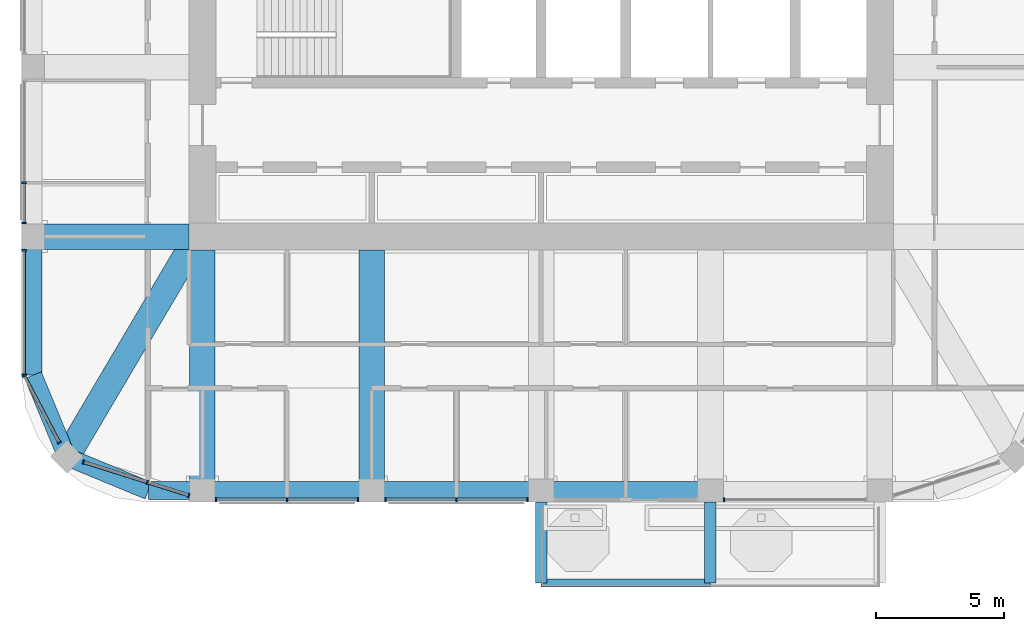
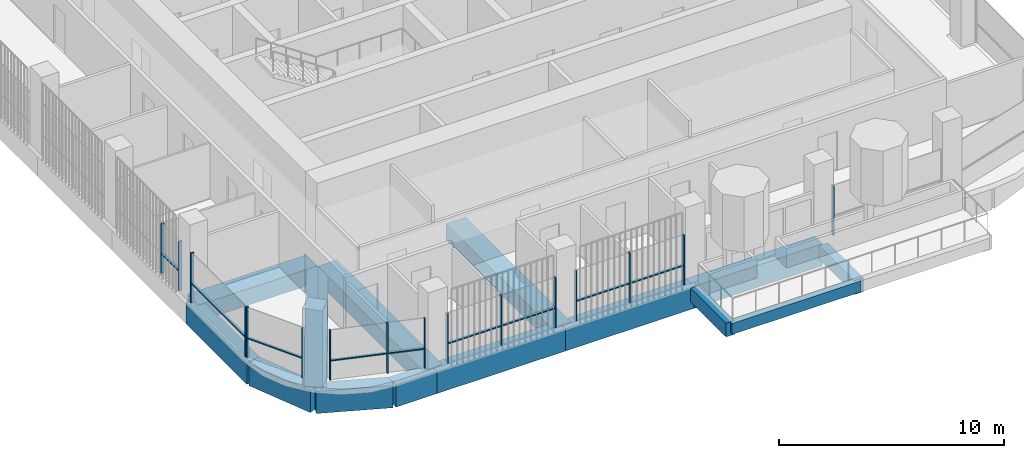
# One storey, part 2 of 21: 25 members, 14 beams, 7 elements without a shape of their own.
"""IFC4 building model written with IfcOpenShell, lengths in metres."""

from ifc_helpers import new_model, si_unit, direction, frame, origin, origin_2d, place, context, subcontext, project, spatial, rectangle, extrude, material, material_profile, profile_set, type_object, element, aggregate, save


model = new_model("IFC4")

# Units and contexts
model_context = context("Model", 3, precision=1e-05, world=origin(), true_north=direction((0.0, 1.0)))
body_context = subcontext(model_context, "Body", "Model", "MODEL_VIEW")
ifc_project = project(units=[si_unit("LENGTHUNIT", "METRE"), si_unit("AREAUNIT", "SQUARE_METRE"), si_unit("VOLUMEUNIT", "CUBIC_METRE"), si_unit("PLANEANGLEUNIT", "RADIAN"), si_unit("MASSUNIT", "GRAM", prefix="KILO")], contexts=[model_context])

# Site, building, storey
site_placement = place(None, origin())
site = spatial("IfcSite", under=ifc_project, at=site_placement, CompositionType="ELEMENT")
building_placement = place(site_placement, origin())
building = spatial("IfcBuilding", under=site, at=building_placement, Name="Cobogo Forest Laboratory Tower", CompositionType="ELEMENT")
storey_placement = place(building_placement, frame((0.0, 0.0, 258.60009765625)))
storey = spatial("IfcBuildingStorey", under=building, at=storey_placement, Name="L59", CompositionType="ELEMENT", Elevation=258.60009765625)

# Beams
ifc_material_1 = material(Name="Concrete HA-40 (C40/50)", Category="concrete")
ifc_material_profile_1 = material_profile(ifc_material_1, rectangle(XDim=0.449951171875, YDim=0.75, at=origin_2d()), Name="RC 450x750")
ifc_profile_set_1 = profile_set([ifc_material_profile_1], Name="Concrete HA-40 (C40/50)")
beam_type_1 = type_object("IfcBeamType", Name="Balcony cantilever beam 450x750", PredefinedType="BEAM", material=ifc_profile_set_1)
for number, where, z_axis, x_axis, name in (
    (1, (26.39990234375, 2.85009765625, -0.625), (0.0, -1.0, 0.0), (1.0, 0.0, 0.0), "CB1 BAL-S1-C1 L59"),
    (2, (33.0, 2.85009765625, -0.625), (0.0, -1.0, 0.0), (1.0, 0.0, 0.0), "CB1 BAL-S1-C2 L59"),
):
    element("IfcBeam", number, at=place(storey_placement, frame(where, z_axis=z_axis, x_axis=x_axis)), inside=storey, type_object=beam_type_1, Name=name, PredefinedType="BEAM", context=body_context, shape_type="SweptSolid", body=[
        extrude(rectangle(XDim=0.449951171875, YDim=0.75, at=origin_2d()), origin(), (0.0, 0.0, 1.0), 3.150146484375),
    ])
ifc_material_profile_2 = material_profile(ifc_material_1, rectangle(XDim=0.300048828125, YDim=0.60009765625, at=origin_2d()), Name="RC 300x600")
ifc_profile_set_2 = profile_set([ifc_material_profile_2], Name="Concrete HA-40 (C40/50)")
beam_type_2 = type_object("IfcBeamType", Name="Balcony edge beam 300x600", PredefinedType="BEAM", material=ifc_profile_set_2)
beam_1_placement = place(storey_placement, frame((26.39990234375, -0.300048828125, -0.550048828125), z_axis=(1.0, 0.0, 0.0), x_axis=(0.0, 1.0, 0.0)))
element("IfcBeam", 3, at=beam_1_placement, inside=storey, type_object=beam_type_2, Name="BB1 BAL-S1-T1 L59", PredefinedType="BEAM", context=body_context, shape_type="SweptSolid", body=[
    extrude(rectangle(XDim=0.300048828125, YDim=0.60009765625, at=origin_2d()), origin(), (0.0, 0.0, 1.0), 6.60009765625),
])

# Curtain wall, members
ifc_material_2 = material(Name="Aluminium curtain wall", Category="aluminium")
curtain_wall_type = type_object("IfcCurtainWallType", Name="CW-2 unitised curtain wall, solar control glazing, laboratory floors zones C and D", PredefinedType="USERDEFINED", material=ifc_material_2)
curtain_wall_1_placement = place(storey_placement, origin())
curtain_wall_1 = element("IfcCurtainWall", 4, at=curtain_wall_1_placement, inside=storey, type_object=curtain_wall_type, Name="Curtain wall 01 L59", ObjectType="UNITISED CURTAIN WALL", PredefinedType="USERDEFINED")
ifc_material_3 = material(Name="Aluminium mullion", Category="aluminium")
ifc_material_profile_3 = material_profile(ifc_material_3, rectangle(XDim=0.06005859375, YDim=0.159912109375, at=origin_2d()), Name="AL 60x160")
ifc_profile_set_3 = profile_set([ifc_material_profile_3], Name="Aluminium mullion")
member_type_1 = type_object("IfcMemberType", Name="MU-1 aluminium mullion 60x160", PredefinedType="MULLION", material=ifc_profile_set_3)
member_1_placement = place(storey_placement, frame((13.72998046875, 2.949951171875, 0.0), z_axis=(0.0, 0.0, 1.0), x_axis=(1.0, 0.0, 0.0)))
member_1 = element("IfcMember", 5, at=member_1_placement, type_object=member_type_1, Name="CW-2 mullion 1", PredefinedType="MULLION", context=body_context, shape_type="SweptSolid", body=[
    extrude(rectangle(XDim=0.06005859375, YDim=0.159912109375, at=origin_2d()), origin(), (0.0, 0.0, 1.0), 2.699951171875),
])
member_2_placement = place(storey_placement, frame((16.5, 2.949951171875, 0.0), z_axis=(0.0, 0.0, 1.0), x_axis=(1.0, 0.0, 0.0)))
member_2 = element("IfcMember", 6, at=member_2_placement, type_object=member_type_1, Name="CW-2 mullion 2", PredefinedType="MULLION", context=body_context, shape_type="SweptSolid", body=[
    extrude(rectangle(XDim=0.06005859375, YDim=0.159912109375, at=origin_2d()), origin(), (0.0, 0.0, 1.0), 2.699951171875),
])
member_3_placement = place(storey_placement, frame((19.27001953125, 2.949951171875, 0.0), z_axis=(0.0, 0.0, 1.0), x_axis=(1.0, 0.0, 0.0)))
member_3 = element("IfcMember", 7, at=member_3_placement, type_object=member_type_1, Name="CW-2 mullion 3", PredefinedType="MULLION", context=body_context, shape_type="SweptSolid", body=[
    extrude(rectangle(XDim=0.06005859375, YDim=0.159912109375, at=origin_2d()), origin(), (0.0, 0.0, 1.0), 2.699951171875),
])

curtain_wall_2_placement = place(storey_placement, origin())
curtain_wall_2 = element("IfcCurtainWall", 8, at=curtain_wall_2_placement, inside=storey, type_object=curtain_wall_type, Name="Curtain wall 02 L59", ObjectType="UNITISED CURTAIN WALL", PredefinedType="USERDEFINED")
member_4_placement = place(storey_placement, frame((20.330078125, 2.949951171875, 0.0), z_axis=(0.0, 0.0, 1.0), x_axis=(1.0, 0.0, 0.0)))
member_4 = element("IfcMember", 9, at=member_4_placement, type_object=member_type_1, Name="CW-2 mullion 1", PredefinedType="MULLION", context=body_context, shape_type="SweptSolid", body=[
    extrude(rectangle(XDim=0.06005859375, YDim=0.159912109375, at=origin_2d()), origin(), (0.0, 0.0, 1.0), 2.699951171875),
])
member_5_placement = place(storey_placement, frame((23.10009765625, 2.949951171875, 0.0), z_axis=(0.0, 0.0, 1.0), x_axis=(1.0, 0.0, 0.0)))
member_5 = element("IfcMember", 10, at=member_5_placement, type_object=member_type_1, Name="CW-2 mullion 2", PredefinedType="MULLION", context=body_context, shape_type="SweptSolid", body=[
    extrude(rectangle(XDim=0.06005859375, YDim=0.159912109375, at=origin_2d()), origin(), (0.0, 0.0, 1.0), 2.699951171875),
])
member_6_placement = place(storey_placement, frame((25.8701171875, 2.949951171875, 0.0), z_axis=(0.0, 0.0, 1.0), x_axis=(1.0, 0.0, 0.0)))
member_6 = element("IfcMember", 11, at=member_6_placement, type_object=member_type_1, Name="CW-2 mullion 3", PredefinedType="MULLION", context=body_context, shape_type="SweptSolid", body=[
    extrude(rectangle(XDim=0.06005859375, YDim=0.159912109375, at=origin_2d()), origin(), (0.0, 0.0, 1.0), 2.699951171875),
])

# Curtain wall, member
curtain_wall_3_placement = place(storey_placement, origin())
curtain_wall_3 = element("IfcCurtainWall", 12, at=curtain_wall_3_placement, inside=storey, type_object=curtain_wall_type, Name="Curtain wall 04 L59", ObjectType="UNITISED CURTAIN WALL", PredefinedType="USERDEFINED")
member_7_placement = place(storey_placement, frame((33.530029296875, 2.949951171875, 0.0), z_axis=(0.0, 0.0, 1.0), x_axis=(1.0, 0.0, 0.0)))
member_7 = element("IfcMember", 13, at=member_7_placement, type_object=member_type_1, Name="CW-2 mullion 1", PredefinedType="MULLION", context=body_context, shape_type="SweptSolid", body=[
    extrude(rectangle(XDim=0.06005859375, YDim=0.159912109375, at=origin_2d()), origin(), (0.0, 0.0, 1.0), 2.699951171875),
])
aggregate(curtain_wall_3, [member_7])

# Curtain wall, members
curtain_wall_4_placement = place(storey_placement, origin())
curtain_wall_4 = element("IfcCurtainWall", 14, at=curtain_wall_4_placement, inside=storey, type_object=curtain_wall_type, Name="Curtain wall 23 L59", ObjectType="UNITISED CURTAIN WALL", PredefinedType="USERDEFINED")
member_8_placement = place(storey_placement, frame((6.25, 15.300048828125, 0.0), z_axis=(0.0, 0.0, 1.0), x_axis=(0.0, -1.0, 0.0)))
member_8 = element("IfcMember", 15, at=member_8_placement, type_object=member_type_1, Name="CW-2 mullion 2", PredefinedType="MULLION", context=body_context, shape_type="SweptSolid", body=[
    extrude(rectangle(XDim=0.06005859375, YDim=0.159912109375, at=origin_2d()), origin(), (0.0, 0.0, 1.0), 2.699951171875),
])
member_9_placement = place(storey_placement, frame((6.25, 13.72998046875, 0.0), z_axis=(0.0, 0.0, 1.0), x_axis=(0.0, -1.0, 0.0)))
member_9 = element("IfcMember", 16, at=member_9_placement, type_object=member_type_1, Name="CW-2 mullion 3", PredefinedType="MULLION", context=body_context, shape_type="SweptSolid", body=[
    extrude(rectangle(XDim=0.06005859375, YDim=0.159912109375, at=origin_2d()), origin(), (0.0, 0.0, 1.0), 2.699951171875),
])

curtain_wall_5_placement = place(storey_placement, origin())
curtain_wall_5 = element("IfcCurtainWall", 17, at=curtain_wall_5_placement, inside=storey, type_object=curtain_wall_type, Name="Curtain wall 24 L59", ObjectType="UNITISED CURTAIN WALL", PredefinedType="USERDEFINED")
member_10_placement = place(storey_placement, frame((6.25, 12.669921875, 0.0), z_axis=(0.0, 0.0, 1.0), x_axis=(0.0, -1.0, 0.0)))
member_10 = element("IfcMember", 18, at=member_10_placement, type_object=member_type_1, Name="CW-2 mullion 1", PredefinedType="MULLION", context=body_context, shape_type="SweptSolid", body=[
    extrude(rectangle(XDim=0.06005859375, YDim=0.159912109375, at=origin_2d()), origin(), (0.0, 0.0, 1.0), 2.699951171875),
])
member_11_placement = place(storey_placement, frame((6.25, 7.830078125, 0.0), z_axis=(0.0, 0.0, 1.0), x_axis=(0.0, -1.0, 0.0)))
member_11 = element("IfcMember", 19, at=member_11_placement, type_object=member_type_1, Name="CW-2 mullion 2", PredefinedType="MULLION", context=body_context, shape_type="SweptSolid", body=[
    extrude(rectangle(XDim=0.06005859375, YDim=0.159912109375, at=origin_2d()), origin(), (0.0, 0.0, 1.0), 2.699951171875),
])

curtain_wall_6_placement = place(storey_placement, origin())
curtain_wall_6 = element("IfcCurtainWall", 20, at=curtain_wall_6_placement, inside=storey, type_object=curtain_wall_type, Name="Curtain wall 25 L59", ObjectType="UNITISED CURTAIN WALL", PredefinedType="USERDEFINED")
member_12_placement = place(storey_placement, frame((6.263916015625, 7.7734375, 0.0), z_axis=(0.0, 0.0, 1.0), x_axis=(0.464283778337, -0.885686498245, 0.0)))
member_12 = element("IfcMember", 21, at=member_12_placement, type_object=member_type_1, Name="CW-2 mullion 1", PredefinedType="MULLION", context=body_context, shape_type="SweptSolid", body=[
    extrude(rectangle(XDim=0.06005859375, YDim=0.159912109375, at=origin_2d()), origin(), (0.0, 0.0, 1.0), 2.699951171875),
])
member_13_placement = place(storey_placement, frame((7.6220703125, 5.1826171875, 0.0), z_axis=(0.0, 0.0, 1.0), x_axis=(0.464283778337, -0.885686498245, 0.0)))
member_13 = element("IfcMember", 22, at=member_13_placement, type_object=member_type_1, Name="CW-2 mullion 2", PredefinedType="MULLION", context=body_context, shape_type="SweptSolid", body=[
    extrude(rectangle(XDim=0.06005859375, YDim=0.159912109375, at=origin_2d()), origin(), (0.0, 0.0, 1.0), 2.699951171875),
])

curtain_wall_7_placement = place(storey_placement, origin())
curtain_wall_7 = element("IfcCurtainWall", 23, at=curtain_wall_7_placement, inside=storey, type_object=curtain_wall_type, Name="Curtain wall 26 L59", ObjectType="UNITISED CURTAIN WALL", PredefinedType="USERDEFINED")
member_14_placement = place(storey_placement, frame((8.570068359375, 4.412109375, 0.0), z_axis=(0.0, 0.0, 1.0), x_axis=(0.953581379409, -0.301135439371, 0.0)))
member_14 = element("IfcMember", 24, at=member_14_placement, type_object=member_type_1, Name="CW-2 mullion 1", PredefinedType="MULLION", context=body_context, shape_type="SweptSolid", body=[
    extrude(rectangle(XDim=0.06005859375, YDim=0.159912109375, at=origin_2d()), origin(), (0.0, 0.0, 1.0), 2.699951171875),
])
member_15_placement = place(storey_placement, frame((11.051025390625, 3.628662109375, 0.0), z_axis=(0.0, 0.0, 1.0), x_axis=(0.953581379409, -0.301135439371, 0.0)))
member_15 = element("IfcMember", 25, at=member_15_placement, type_object=member_type_1, Name="CW-2 mullion 2", PredefinedType="MULLION", context=body_context, shape_type="SweptSolid", body=[
    extrude(rectangle(XDim=0.06005859375, YDim=0.159912109375, at=origin_2d()), origin(), (0.0, 0.0, 1.0), 2.699951171875),
])
member_16_placement = place(storey_placement, frame((12.67138671875, 3.116943359375, 0.0), z_axis=(0.0, 0.0, 1.0), x_axis=(0.953581379409, -0.301135439371, 0.0)))
member_16 = element("IfcMember", 26, at=member_16_placement, type_object=member_type_1, Name="CW-2 mullion 3", PredefinedType="MULLION", context=body_context, shape_type="SweptSolid", body=[
    extrude(rectangle(XDim=0.06005859375, YDim=0.159912109375, at=origin_2d()), origin(), (0.0, 0.0, 1.0), 2.699951171875),
])

# Beams
ifc_material_profile_4 = material_profile(ifc_material_1, rectangle(XDim=1.0, YDim=0.89990234375, at=origin_2d()), Name="RC 1000x900")
ifc_profile_set_4 = profile_set([ifc_material_profile_4], Name="Concrete HA-40 (C40/50)")
beam_type_3 = type_object("IfcBeamType", Name="Office floor wide beam 1000x900", PredefinedType="BEAM", material=ifc_profile_set_4)
for number, where, z_axis, x_axis, name in (
    (27, (13.199951171875, 12.675048828125, -0.75), (0.0, -1.0, 0.0), (1.0, 0.0, 0.0), "RB2 R-3-S L59"),
    (28, (19.800048828125, 12.675048828125, -0.75), (0.0, -1.0, 0.0), (1.0, 0.0, 0.0), "RB2 R-4-S L59"),
):
    element("IfcBeam", number, at=place(storey_placement, frame(where, z_axis=z_axis, x_axis=x_axis)), inside=storey, type_object=beam_type_3, Name=name, PredefinedType="BEAM", context=body_context, shape_type="SweptSolid", body=[
        extrude(rectangle(XDim=1.0, YDim=0.89990234375, at=origin_2d()), origin(), (0.0, 0.0, 1.0), 9.375),
    ])
beam_2_placement = place(storey_placement, frame((12.675048828125, 13.199951171875, -0.75), z_axis=(-1.0, 0.0, 0.0), x_axis=(0.0, -1.0, 0.0)))
element("IfcBeam", 29, at=beam_2_placement, inside=storey, type_object=beam_type_3, Name="RB2 R-C-W L59", PredefinedType="BEAM", context=body_context, shape_type="SweptSolid", body=[
    extrude(rectangle(XDim=1.0, YDim=0.89990234375, at=origin_2d()), origin(), (0.0, 0.0, 1.0), 6.074951171875),
])
beam_3_placement = place(storey_placement, frame((7.91796875, 4.617919921875, -0.75), z_axis=(0.508416325908, 0.861111397875, 0.0), x_axis=(-0.861111397875, 0.508416325908, 0.0)))
element("IfcBeam", 30, at=beam_3_placement, inside=storey, type_object=beam_type_3, Name="RB2 G-SW-D1 L59", PredefinedType="BEAM", context=body_context, shape_type="SweptSolid", body=[
    extrude(rectangle(XDim=1.0, YDim=0.89990234375, at=origin_2d()), origin(), (0.0, 0.0, 1.0), 9.356689453125),
])
ifc_material_profile_5 = material_profile(ifc_material_1, rectangle(XDim=0.699951171875, YDim=1.199951171875, at=origin_2d()), Name="RC 700x1200")
ifc_profile_set_5 = profile_set([ifc_material_profile_5], Name="Concrete HA-40 (C40/50)")
beam_type_4 = type_object("IfcBeamType", Name="Perimeter edge beam 700x1200", PredefinedType="BEAM", material=ifc_profile_set_5)
beam_4_placement = place(storey_placement, frame((13.199951171875, 3.300048828125, -0.900146484375), z_axis=(1.0, 0.0, 0.0), x_axis=(0.0, 1.0, 0.0)))
element("IfcBeam", 31, at=beam_4_placement, inside=storey, type_object=beam_type_4, Name="EB1 E-S1 L59", PredefinedType="BEAM", context=body_context, shape_type="SweptSolid", body=[
    extrude(rectangle(XDim=0.699951171875, YDim=1.199951171875, at=origin_2d()), origin(), (0.0, 0.0, 1.0), 6.60009765625),
])
beam_5_placement = place(storey_placement, frame((19.800048828125, 3.300048828125, -0.900146484375), z_axis=(1.0, 0.0, 0.0), x_axis=(0.0, 1.0, 0.0)))
element("IfcBeam", 32, at=beam_5_placement, inside=storey, type_object=beam_type_4, Name="EB1 E-S2 L59", PredefinedType="BEAM", context=body_context, shape_type="SweptSolid", body=[
    extrude(rectangle(XDim=0.699951171875, YDim=1.199951171875, at=origin_2d()), origin(), (0.0, 0.0, 1.0), 6.599853515625),
])
beam_6_placement = place(storey_placement, frame((26.39990234375, 3.300048828125, -0.900146484375), z_axis=(1.0, 0.0, 0.0), x_axis=(0.0, 1.0, 0.0)))
element("IfcBeam", 33, at=beam_6_placement, inside=storey, type_object=beam_type_4, Name="EB1 E-S3 L59", PredefinedType="BEAM", context=body_context, shape_type="SweptSolid", body=[
    extrude(rectangle(XDim=0.699951171875, YDim=1.199951171875, at=origin_2d()), origin(), (0.0, 0.0, 1.0), 6.60009765625),
])
beam_7_placement = place(storey_placement, frame((13.199951171875, 3.300048828125, -0.900146484375), z_axis=(-1.0, 0.0, 0.0), x_axis=(0.0, -1.0, 0.0)))
element("IfcBeam", 34, at=beam_7_placement, inside=storey, type_object=beam_type_4, Name="EB1 E-SWS1 L59", PredefinedType="BEAM", context=body_context, shape_type="SweptSolid", body=[
    extrude(rectangle(XDim=0.699951171875, YDim=1.199951171875, at=origin_2d()), origin(), (0.0, 0.0, 1.0), 2.099853515625),
])
beam_8_placement = place(storey_placement, frame((11.10009765625, 3.300048828125, -0.900146484375), z_axis=(-0.923901072997, 0.382631424892, 0.0), x_axis=(-0.382631424892, -0.923901072997, 0.0)))
element("IfcBeam", 35, at=beam_8_placement, inside=storey, type_object=beam_type_4, Name="EB1 E-SWS2 L59", PredefinedType="BEAM", context=body_context, shape_type="SweptSolid", body=[
    extrude(rectangle(XDim=0.699951171875, YDim=1.199951171875, at=origin_2d()), origin(), (0.0, 0.0, 1.0), 3.4443359375),
])
beam_9_placement = place(storey_placement, frame((6.60009765625, 13.199951171875, -0.900146484375), z_axis=(0.0, -1.0, 0.0), x_axis=(1.0, 0.0, 0.0)))
element("IfcBeam", 36, at=beam_9_placement, inside=storey, type_object=beam_type_4, Name="EB1 E-SWW1 L59", PredefinedType="BEAM", context=body_context, shape_type="SweptSolid", body=[
    extrude(rectangle(XDim=0.699951171875, YDim=1.199951171875, at=origin_2d()), origin(), (0.0, 0.0, 1.0), 5.39990234375),
])
beam_10_placement = place(storey_placement, frame((6.60009765625, 7.800048828125, -0.900146484375), z_axis=(0.382631424892, -0.923901072997, 0.0), x_axis=(0.923901072997, 0.382631424892, 0.0)))
element("IfcBeam", 37, at=beam_10_placement, inside=storey, type_object=beam_type_4, Name="EB1 E-SWW2 L59", PredefinedType="BEAM", context=body_context, shape_type="SweptSolid", body=[
    extrude(rectangle(XDim=0.699951171875, YDim=1.199951171875, at=origin_2d()), origin(), (0.0, 0.0, 1.0), 3.4443359375),
])

# Member
ifc_material_4 = material(Name="Aluminium transom", Category="aluminium")
ifc_material_profile_6 = material_profile(ifc_material_4, rectangle(XDim=0.1201171875, YDim=0.06005859375, at=origin_2d()), Name="AL 60x120")
ifc_profile_set_6 = profile_set([ifc_material_profile_6], Name="Aluminium transom")
member_type_2 = type_object("IfcMemberType", Name="TR-1 aluminium transom 60x120", PredefinedType="USERDEFINED", material=ifc_profile_set_6)
member_17_placement = place(storey_placement, frame((13.760009765625, 2.949951171875, 1.0498046875), z_axis=(1.0, 0.0, 0.0), x_axis=(0.0, 1.0, 0.0)))
member_17 = element("IfcMember", 38, at=member_17_placement, type_object=member_type_2, Name="CW-2 transom 1.1", ObjectType="TRANSOM", PredefinedType="USERDEFINED", context=body_context, shape_type="SweptSolid", body=[
    extrude(rectangle(XDim=0.1201171875, YDim=0.06005859375, at=origin_2d()), origin(), (0.0, 0.0, 1.0), 2.7099609375),
])

member_18_placement = place(storey_placement, frame((16.530029296875, 2.949951171875, 1.0498046875), z_axis=(1.0, 0.0, 0.0), x_axis=(0.0, 1.0, 0.0)))
member_18 = element("IfcMember", 39, at=member_18_placement, type_object=member_type_2, Name="CW-2 transom 2.1", ObjectType="TRANSOM", PredefinedType="USERDEFINED", context=body_context, shape_type="SweptSolid", body=[
    extrude(rectangle(XDim=0.1201171875, YDim=0.06005859375, at=origin_2d()), origin(), (0.0, 0.0, 1.0), 2.7099609375),
])

aggregate(curtain_wall_1, [member_1, member_2, member_3, member_17, member_18])

member_19_placement = place(storey_placement, frame((20.360107421875, 2.949951171875, 1.0498046875), z_axis=(1.0, 0.0, 0.0), x_axis=(0.0, 1.0, 0.0)))
member_19 = element("IfcMember", 40, at=member_19_placement, type_object=member_type_2, Name="CW-2 transom 1.1", ObjectType="TRANSOM", PredefinedType="USERDEFINED", context=body_context, shape_type="SweptSolid", body=[
    extrude(rectangle(XDim=0.1201171875, YDim=0.06005859375, at=origin_2d()), origin(), (0.0, 0.0, 1.0), 2.7099609375),
])

member_20_placement = place(storey_placement, frame((23.1298828125, 2.949951171875, 1.0498046875), z_axis=(1.0, 0.0, 0.0), x_axis=(0.0, 1.0, 0.0)))
member_20 = element("IfcMember", 41, at=member_20_placement, type_object=member_type_2, Name="CW-2 transom 2.1", ObjectType="TRANSOM", PredefinedType="USERDEFINED", context=body_context, shape_type="SweptSolid", body=[
    extrude(rectangle(XDim=0.1201171875, YDim=0.06005859375, at=origin_2d()), origin(), (0.0, 0.0, 1.0), 2.710205078125),
])

aggregate(curtain_wall_2, [member_4, member_5, member_6, member_19, member_20])

member_21_placement = place(storey_placement, frame((6.25, 15.27001953125, 1.0498046875), z_axis=(0.0, -1.0, 0.0), x_axis=(1.0, 0.0, 0.0)))
member_21 = element("IfcMember", 42, at=member_21_placement, type_object=member_type_2, Name="CW-2 transom 2.1", ObjectType="TRANSOM", PredefinedType="USERDEFINED", context=body_context, shape_type="SweptSolid", body=[
    extrude(rectangle(XDim=0.1201171875, YDim=0.06005859375, at=origin_2d()), origin(), (0.0, 0.0, 1.0), 1.510009765625),
])

aggregate(curtain_wall_4, [member_8, member_9, member_21])

member_22_placement = place(storey_placement, frame((6.25, 12.639892578125, 1.0498046875), z_axis=(0.0, -1.0, 0.0), x_axis=(1.0, 0.0, 0.0)))
member_22 = element("IfcMember", 43, at=member_22_placement, type_object=member_type_2, Name="CW-2 transom 1.1", ObjectType="TRANSOM", PredefinedType="USERDEFINED", context=body_context, shape_type="SweptSolid", body=[
    extrude(rectangle(XDim=0.1201171875, YDim=0.06005859375, at=origin_2d()), origin(), (0.0, 0.0, 1.0), 4.77978515625),
])

aggregate(curtain_wall_5, [member_10, member_11, member_22])

member_23_placement = place(storey_placement, frame((6.27783203125, 7.746826171875, 1.0498046875), z_axis=(0.46430944806, -0.885673041501, 0.0), x_axis=(0.885673041501, 0.46430944806, 0.0)))
member_23 = element("IfcMember", 44, at=member_23_placement, type_object=member_type_2, Name="CW-2 transom 1.1", ObjectType="TRANSOM", PredefinedType="USERDEFINED", context=body_context, shape_type="SweptSolid", body=[
    extrude(rectangle(XDim=0.1201171875, YDim=0.06005859375, at=origin_2d()), origin(), (0.0, 0.0, 1.0), 2.865234375),
])

aggregate(curtain_wall_6, [member_12, member_13, member_23])

member_24_placement = place(storey_placement, frame((8.5986328125, 4.403076171875, 1.0498046875), z_axis=(0.953578309712, -0.301145159761, 0.0), x_axis=(0.301145159761, 0.953578309712, 0.0)))
member_24 = element("IfcMember", 45, at=member_24_placement, type_object=member_type_2, Name="CW-2 transom 1.1", ObjectType="TRANSOM", PredefinedType="USERDEFINED", context=body_context, shape_type="SweptSolid", body=[
    extrude(rectangle(XDim=0.1201171875, YDim=0.06005859375, at=origin_2d()), origin(), (0.0, 0.0, 1.0), 2.54150390625),
])

member_25_placement = place(storey_placement, frame((11.07958984375, 3.61962890625, 1.0498046875), z_axis=(0.953582665134, -0.301131367937, 0.0), x_axis=(0.301131367937, 0.953582665134, 0.0)))
member_25 = element("IfcMember", 46, at=member_25_placement, type_object=member_type_2, Name="CW-2 transom 2.1", ObjectType="TRANSOM", PredefinedType="USERDEFINED", context=body_context, shape_type="SweptSolid", body=[
    extrude(rectangle(XDim=0.1201171875, YDim=0.06005859375, at=origin_2d()), origin(), (0.0, 0.0, 1.0), 1.639404296875),
])

aggregate(curtain_wall_7, [member_14, member_15, member_16, member_24, member_25])

save(model, "model.ifc")
